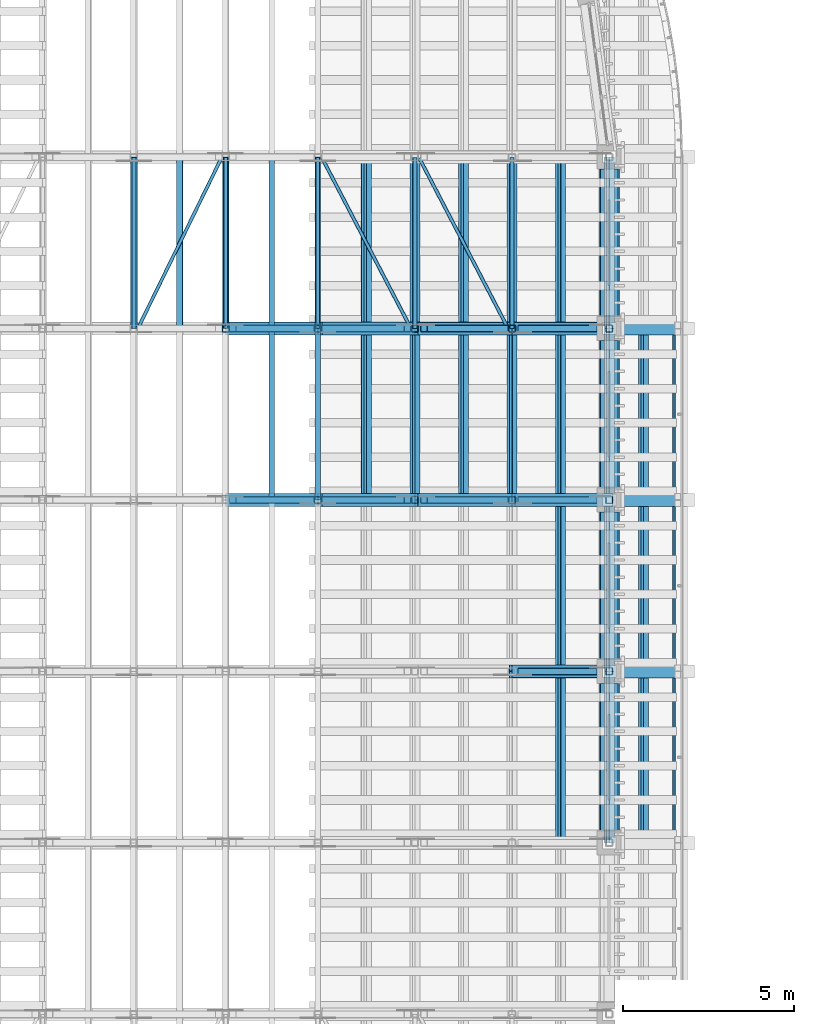
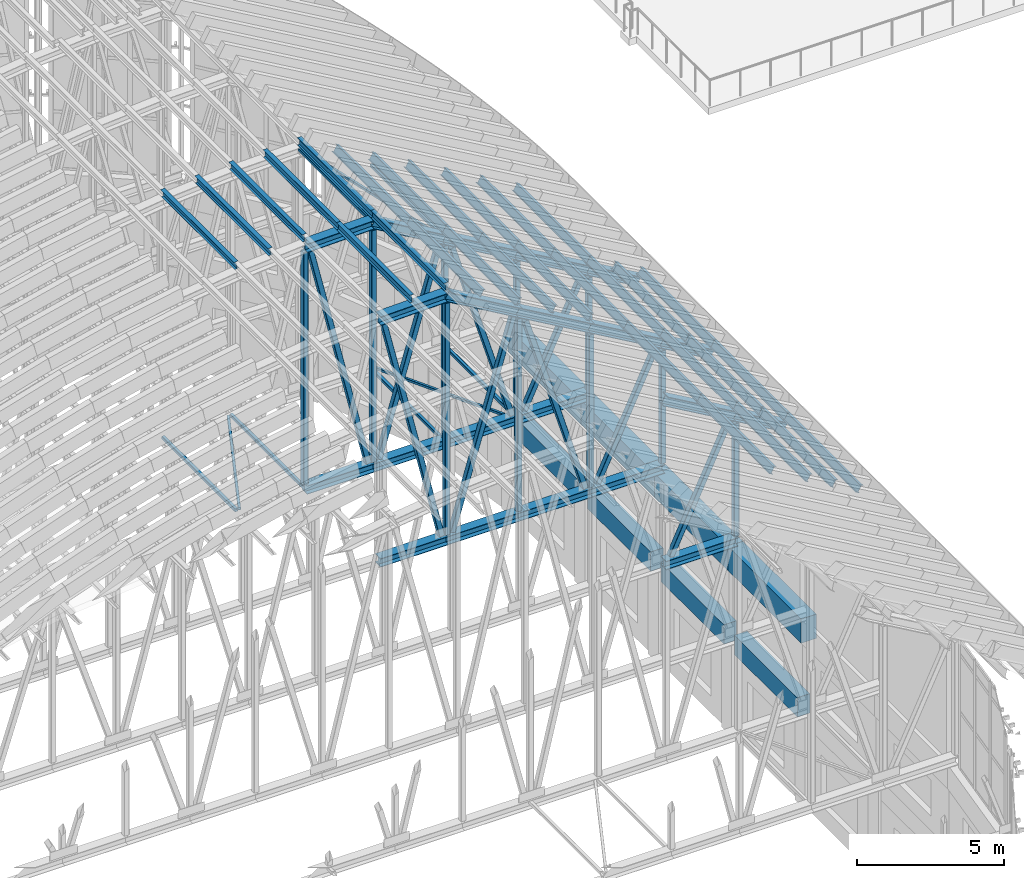
# One storey, part 24 of 105: 78 members, 8 beams.
"""IFC4 building model written with IfcOpenShell, lengths in metres."""

from ifc_helpers import new_model, si_unit, direction, frame, origin, origin_2d, place, context, subcontext, project, spatial, rectangle, hollow_rectangle, i_section, extrude, material, material_profile, profile_set, type_object, element, save


model = new_model("IFC4")

# Units and contexts
model_context = context("Model", 3, precision=1e-05, world=origin(), true_north=direction((0.0, 1.0)))
body_context = subcontext(model_context, "Body", "Model", "MODEL_VIEW")
ifc_project = project(units=[si_unit("LENGTHUNIT", "METRE"), si_unit("AREAUNIT", "SQUARE_METRE"), si_unit("VOLUMEUNIT", "CUBIC_METRE"), si_unit("PLANEANGLEUNIT", "RADIAN"), si_unit("MASSUNIT", "GRAM", prefix="KILO")], contexts=[model_context])

# Site, building, storey
site_placement = place(None, origin())
site = spatial("IfcSite", under=ifc_project, at=site_placement, CompositionType="ELEMENT")
building_placement = place(site_placement, origin())
building = spatial("IfcBuilding", under=site, at=building_placement, Name="Wasatch Bagh Community Centre", CompositionType="ELEMENT")
storey_placement = place(building_placement, frame((0.0, 0.0, 16.800048828125)))
storey = spatial("IfcBuildingStorey", under=building, at=storey_placement, Name="L04", CompositionType="ELEMENT", Elevation=16.800048828125)

# Members
ifc_material_1 = material(Name="ASTM A500 Grade C steel", Category="steel")
ifc_material_profile_1 = material_profile(ifc_material_1, hollow_rectangle(XDim=0.1015625, YDim=0.1015625, WallThickness=0.005859375, InnerFilletRadius=0.005859375, OuterFilletRadius=0.01171875, at=origin_2d()), Name="HSS4x4x1/4")
ifc_profile_set_1 = profile_set([ifc_material_profile_1], Name="ASTM A500 Grade C steel")
member_type_1 = type_object("IfcMemberType", Name="HSS4x4x1/4 brace", PredefinedType="BRACE", material=ifc_profile_set_1)
member_1_placement = place(storey_placement, frame((48.94970703125, 60.04052734375, 16.4296875), z_axis=(-0.446455809294, 0.855788378427, 0.261349309731), x_axis=(-0.886602891917, -0.462531417359, 0.0)))
element("IfcMember", 1, at=member_1_placement, inside=storey, type_object=member_type_1, Name="MH.TA6-TA7.RT.DG13", PredefinedType="BRACE", context=body_context, shape_type="SweptSolid", body=[
    extrude(hollow_rectangle(XDim=0.1015625, YDim=0.1015625, WallThickness=0.005859375, InnerFilletRadius=0.005859375, OuterFilletRadius=0.01171875, at=origin_2d()), origin(), (0.0, 0.0, 1.0), 5.747802734375),
])
member_2_placement = place(storey_placement, frame((41.01513671875, 60.025634765625, 7.892822265625), z_axis=(0.440004530452, 0.897995552986, 0.0), x_axis=(-0.897995552986, 0.440004530452, 0.0)))
element("IfcMember", 2, at=member_2_placement, inside=storey, type_object=member_type_1, Name="MH.TA6-TA7.RB.DG11", PredefinedType="BRACE", context=body_context, shape_type="SweptSolid", body=[
    extrude(hollow_rectangle(XDim=0.1015625, YDim=0.1015625, WallThickness=0.005859375, InnerFilletRadius=0.005859375, OuterFilletRadius=0.01171875, at=origin_2d()), origin(), (0.0, 0.0, 1.0), 5.5107421875),
])
member_3_placement = place(storey_placement, frame((51.789306640625, 60.02685546875, 7.892822265625), z_axis=(-0.462275800568, 0.886736197643, 0.0), x_axis=(-0.886736197643, -0.462275800568, 0.0)))
element("IfcMember", 3, at=member_3_placement, inside=storey, type_object=member_type_1, Name="MH.TA6-TA7.RB.DG14", PredefinedType="BRACE", context=body_context, shape_type="SweptSolid", body=[
    extrude(hollow_rectangle(XDim=0.1015625, YDim=0.1015625, WallThickness=0.005859375, InnerFilletRadius=0.005859375, OuterFilletRadius=0.01171875, at=origin_2d()), origin(), (0.0, 0.0, 1.0), 5.578125),
])
ifc_material_profile_2 = material_profile(ifc_material_1, hollow_rectangle(XDim=0.126953125, YDim=0.126953125, WallThickness=0.00732421875, InnerFilletRadius=0.00732421875, OuterFilletRadius=0.0146484375, at=origin_2d()), Name="HSS5x5x5/16")
ifc_profile_set_2 = profile_set([ifc_material_profile_2], Name="ASTM A500 Grade C steel")
member_type_2 = type_object("IfcMemberType", Name="HSS5x5x5/16 strut", PredefinedType="STRUT", material=ifc_profile_set_2)
for number, where, z_axis, x_axis, name in (
    (4, (46.25, 60.00537109375, 18.010009765625), (0.0, 1.0, 0.0), (-1.0, 0.0, 0.0), "MH.TA6-TA7.RT.ST13W"),
    (5, (49.083251953125, 60.00537109375, 16.3515625), (0.0, 1.0, 0.0), (-1.0, 0.0, 0.0), "MH.TA6-TA7.RT.ST13E"),
):
    element("IfcMember", number, at=place(storey_placement, frame(where, z_axis=z_axis, x_axis=x_axis)), inside=storey, type_object=member_type_2, Name=name, PredefinedType="STRUT", context=body_context, shape_type="SweptSolid", body=[
        extrude(hollow_rectangle(XDim=0.126953125, YDim=0.126953125, WallThickness=0.00732421875, InnerFilletRadius=0.00732421875, OuterFilletRadius=0.0146484375, at=origin_2d()), origin(), (0.0, 0.0, 1.0), 4.9892578125),
    ])
for number, where, z_axis, x_axis, name in (
    (6, (40.88916015625, 60.003662109375, 7.892822265625), (0.0, 1.0, 0.0), (-1.0, 0.0, 0.0), "MH.TA6-TA7.RB.ST11W"),
    (7, (43.56591796875, 60.003662109375, 7.892822265625), (0.0, 1.0, 0.0), (-1.0, 0.0, 0.0), "MH.TA6-TA7.RB.ST11E"),
    (8, (49.083251953125, 60.003662109375, 7.892822265625), (0.0, 1.0, 0.0), (-1.0, 0.0, 0.0), "MH.TA6-TA7.RB.ST14W"),
    (9, (51.916748046875, 60.003662109375, 7.892822265625), (0.0, 1.0, 0.0), (-1.0, 0.0, 0.0), "MH.TA6-TA7.RB.ST14E"),
):
    element("IfcMember", number, at=place(storey_placement, frame(where, z_axis=z_axis, x_axis=x_axis)), inside=storey, type_object=member_type_2, Name=name, PredefinedType="STRUT", context=body_context, shape_type="SweptSolid", body=[
        extrude(hollow_rectangle(XDim=0.126953125, YDim=0.126953125, WallThickness=0.00732421875, InnerFilletRadius=0.00732421875, OuterFilletRadius=0.0146484375, at=origin_2d()), origin(), (0.0, 0.0, 1.0), 4.99267578125),
    ])
ifc_material_profile_3 = material_profile(ifc_material_1, hollow_rectangle(XDim=0.203125, YDim=0.203125, WallThickness=0.01171875, InnerFilletRadius=0.01171875, OuterFilletRadius=0.023681640625, at=origin_2d()), Name="HSS8x8x1/2")
ifc_profile_set_3 = profile_set([ifc_material_profile_3], Name="ASTM A500 Grade C steel")
member_type_3 = type_object("IfcMemberType", Name="HSS8x8x1/2 post", PredefinedType="POST", material=ifc_profile_set_3)
member_4_placement = place(storey_placement, frame((54.75, 50.0, 8.070556640625), z_axis=(0.0, 0.0, 1.0), x_axis=(1.0, 0.0, 0.0)))
element("IfcMember", 10, at=member_4_placement, inside=storey, type_object=member_type_3, Name="MH.TA4.PS16", PredefinedType="POST", context=body_context, shape_type="SweptSolid", body=[
    extrude(hollow_rectangle(XDim=0.203125, YDim=0.203125, WallThickness=0.01171875, InnerFilletRadius=0.01171875, OuterFilletRadius=0.023681640625, at=origin_2d()), origin(), (0.0, 0.0, 1.0), 4.690673828125),
])
member_5_placement = place(storey_placement, frame((46.25, 55.0, 8.070556640625), z_axis=(0.0, 0.0, 1.0), x_axis=(1.0, 0.0, 0.0)))
element("IfcMember", 11, at=member_5_placement, inside=storey, type_object=member_type_3, Name="MH.TA5.PS13", PredefinedType="POST", context=body_context, shape_type="SweptSolid", body=[
    extrude(hollow_rectangle(XDim=0.203125, YDim=0.203125, WallThickness=0.01171875, InnerFilletRadius=0.01171875, OuterFilletRadius=0.023681640625, at=origin_2d()), origin(), (0.0, 0.0, 1.0), 9.64501953125),
])
member_6_placement = place(storey_placement, frame((49.083251953125, 55.0, 8.070556640625), z_axis=(0.0, 0.0, 1.0), x_axis=(1.0, 0.0, 0.0)))
element("IfcMember", 12, at=member_6_placement, inside=storey, type_object=member_type_3, Name="MH.TA5.PS14", PredefinedType="POST", context=body_context, shape_type="SweptSolid", body=[
    extrude(hollow_rectangle(XDim=0.203125, YDim=0.203125, WallThickness=0.01171875, InnerFilletRadius=0.01171875, OuterFilletRadius=0.023681640625, at=origin_2d()), origin(), (0.0, 0.0, 1.0), 8.007568359375),
])
member_7_placement = place(storey_placement, frame((51.916748046875, 55.0, 8.070556640625), z_axis=(0.0, 0.0, 1.0), x_axis=(1.0, 0.0, 0.0)))
element("IfcMember", 13, at=member_7_placement, inside=storey, type_object=member_type_3, Name="MH.TA5.PS15", PredefinedType="POST", context=body_context, shape_type="SweptSolid", body=[
    extrude(hollow_rectangle(XDim=0.203125, YDim=0.203125, WallThickness=0.01171875, InnerFilletRadius=0.01171875, OuterFilletRadius=0.023681640625, at=origin_2d()), origin(), (0.0, 0.0, 1.0), 6.34912109375),
])
member_8_placement = place(storey_placement, frame((54.75, 55.0, 8.070556640625), z_axis=(0.0, 0.0, 1.0), x_axis=(1.0, 0.0, 0.0)))
element("IfcMember", 14, at=member_8_placement, inside=storey, type_object=member_type_3, Name="MH.TA5.PS16", PredefinedType="POST", context=body_context, shape_type="SweptSolid", body=[
    extrude(hollow_rectangle(XDim=0.203125, YDim=0.203125, WallThickness=0.01171875, InnerFilletRadius=0.01171875, OuterFilletRadius=0.023681640625, at=origin_2d()), origin(), (0.0, 0.0, 1.0), 4.690673828125),
])
member_9_placement = place(storey_placement, frame((43.56591796875, 60.0, 8.070556640625), z_axis=(0.0, 0.0, 1.0), x_axis=(1.0, 0.0, 0.0)))
element("IfcMember", 15, at=member_9_placement, inside=storey, type_object=member_type_3, Name="MH.TA6.PS12", PredefinedType="POST", context=body_context, shape_type="SweptSolid", body=[
    extrude(hollow_rectangle(XDim=0.203125, YDim=0.203125, WallThickness=0.01171875, InnerFilletRadius=0.01171875, OuterFilletRadius=0.023681640625, at=origin_2d()), origin(), (0.0, 0.0, 1.0), 9.6826171875),
])
member_10_placement = place(storey_placement, frame((46.25, 60.0, 8.070556640625), z_axis=(0.0, 0.0, 1.0), x_axis=(1.0, 0.0, 0.0)))
element("IfcMember", 16, at=member_10_placement, inside=storey, type_object=member_type_3, Name="MH.TA6.PS13", PredefinedType="POST", context=body_context, shape_type="SweptSolid", body=[
    extrude(hollow_rectangle(XDim=0.203125, YDim=0.203125, WallThickness=0.01171875, InnerFilletRadius=0.01171875, OuterFilletRadius=0.023681640625, at=origin_2d()), origin(), (0.0, 0.0, 1.0), 9.64501953125),
])
member_11_placement = place(storey_placement, frame((49.083251953125, 60.0, 8.070556640625), z_axis=(0.0, 0.0, 1.0), x_axis=(1.0, 0.0, 0.0)))
element("IfcMember", 17, at=member_11_placement, inside=storey, type_object=member_type_3, Name="MH.TA6.PS14", PredefinedType="POST", context=body_context, shape_type="SweptSolid", body=[
    extrude(hollow_rectangle(XDim=0.203125, YDim=0.203125, WallThickness=0.01171875, InnerFilletRadius=0.01171875, OuterFilletRadius=0.023681640625, at=origin_2d()), origin(), (0.0, 0.0, 1.0), 8.007568359375),
])
member_12_placement = place(storey_placement, frame((51.916748046875, 60.0, 8.070556640625), z_axis=(0.0, 0.0, 1.0), x_axis=(1.0, 0.0, 0.0)))
element("IfcMember", 18, at=member_12_placement, inside=storey, type_object=member_type_3, Name="MH.TA6.PS15", PredefinedType="POST", context=body_context, shape_type="SweptSolid", body=[
    extrude(hollow_rectangle(XDim=0.203125, YDim=0.203125, WallThickness=0.01171875, InnerFilletRadius=0.01171875, OuterFilletRadius=0.023681640625, at=origin_2d()), origin(), (0.0, 0.0, 1.0), 6.34912109375),
])
member_13_placement = place(storey_placement, frame((54.75, 60.0, 8.070556640625), z_axis=(0.0, 0.0, 1.0), x_axis=(1.0, 0.0, 0.0)))
element("IfcMember", 19, at=member_13_placement, inside=storey, type_object=member_type_3, Name="MH.TA6.PS16", PredefinedType="POST", context=body_context, shape_type="SweptSolid", body=[
    extrude(hollow_rectangle(XDim=0.203125, YDim=0.203125, WallThickness=0.01171875, InnerFilletRadius=0.01171875, OuterFilletRadius=0.023681640625, at=origin_2d()), origin(), (0.0, 0.0, 1.0), 4.690673828125),
])
ifc_material_profile_4 = material_profile(ifc_material_1, hollow_rectangle(XDim=0.203125, YDim=0.203125, WallThickness=0.0087890625, InnerFilletRadius=0.0087890625, OuterFilletRadius=0.017822265625, at=origin_2d()), Name="HSS8x8x3/8")
ifc_profile_set_4 = profile_set([ifc_material_profile_4], Name="ASTM A500 Grade C steel")
member_type_4 = type_object("IfcMemberType", Name="HSS8x8x3/8 brace", PredefinedType="BRACE", material=ifc_profile_set_4)
member_14_placement = place(storey_placement, frame((52.182373046875, 50.0, 8.11474609375), z_axis=(0.429834746182, 0.0, 0.902907576098), x_axis=(0.0, 1.0, 0.0)))
element("IfcMember", 20, at=member_14_placement, inside=storey, type_object=member_type_4, Name="MH.TA4.WB15", PredefinedType="BRACE", context=body_context, shape_type="SweptSolid", body=[
    extrude(hollow_rectangle(XDim=0.203125, YDim=0.203125, WallThickness=0.0087890625, InnerFilletRadius=0.0087890625, OuterFilletRadius=0.017822265625, at=origin_2d()), origin(), (0.0, 0.0, 1.0), 5.36962890625),
])
member_15_placement = place(storey_placement, frame((46.047607421875, 55.0, 8.094482421875), z_axis=(-0.229781671389, 0.0, 0.973242201866), x_axis=(0.0, -1.0, 0.0)))
element("IfcMember", 21, at=member_15_placement, inside=storey, type_object=member_type_4, Name="MH.TA5.WB12", PredefinedType="BRACE", context=body_context, shape_type="SweptSolid", body=[
    extrude(hollow_rectangle(XDim=0.203125, YDim=0.203125, WallThickness=0.0087890625, InnerFilletRadius=0.0087890625, OuterFilletRadius=0.017822265625, at=origin_2d()), origin(), (0.0, 0.0, 1.0), 9.916259765625),
])
member_16_placement = place(storey_placement, frame((46.466796875, 55.0, 8.099853515625), z_axis=(0.28291893223, 0.0, 0.959143825391), x_axis=(0.0, 1.0, 0.0)))
element("IfcMember", 22, at=member_16_placement, inside=storey, type_object=member_type_4, Name="MH.TA5.WB13", PredefinedType="BRACE", context=body_context, shape_type="SweptSolid", body=[
    extrude(hollow_rectangle(XDim=0.203125, YDim=0.203125, WallThickness=0.0087890625, InnerFilletRadius=0.0087890625, OuterFilletRadius=0.017822265625, at=origin_2d()), origin(), (0.0, 0.0, 1.0), 8.481689453125),
])
member_17_placement = place(storey_placement, frame((51.698486328125, 55.0, 8.100341796875), z_axis=(-0.28855246331, 0.0, 0.957464085967), x_axis=(0.0, -1.0, 0.0)))
element("IfcMember", 23, at=member_17_placement, inside=storey, type_object=member_type_4, Name="MH.TA5.WB14", PredefinedType="BRACE", context=body_context, shape_type="SweptSolid", body=[
    extrude(hollow_rectangle(XDim=0.203125, YDim=0.203125, WallThickness=0.0087890625, InnerFilletRadius=0.0087890625, OuterFilletRadius=0.017822265625, at=origin_2d()), origin(), (0.0, 0.0, 1.0), 8.142822265625),
])
member_18_placement = place(storey_placement, frame((52.182373046875, 55.0, 8.11474609375), z_axis=(0.429834746182, 0.0, 0.902907576098), x_axis=(0.0, 1.0, 0.0)))
element("IfcMember", 24, at=member_18_placement, inside=storey, type_object=member_type_4, Name="MH.TA5.WB15", PredefinedType="BRACE", context=body_context, shape_type="SweptSolid", body=[
    extrude(hollow_rectangle(XDim=0.203125, YDim=0.203125, WallThickness=0.0087890625, InnerFilletRadius=0.0087890625, OuterFilletRadius=0.017822265625, at=origin_2d()), origin(), (0.0, 0.0, 1.0), 5.36962890625),
])
member_19_placement = place(storey_placement, frame((46.047607421875, 60.0, 8.094482421875), z_axis=(-0.229781671389, 0.0, 0.973242201866), x_axis=(0.0, -1.0, 0.0)))
element("IfcMember", 25, at=member_19_placement, inside=storey, type_object=member_type_4, Name="MH.TA6.WB12", PredefinedType="BRACE", context=body_context, shape_type="SweptSolid", body=[
    extrude(hollow_rectangle(XDim=0.203125, YDim=0.203125, WallThickness=0.0087890625, InnerFilletRadius=0.0087890625, OuterFilletRadius=0.017822265625, at=origin_2d()), origin(), (0.0, 0.0, 1.0), 9.916259765625),
])
member_20_placement = place(storey_placement, frame((46.466796875, 60.0, 8.099853515625), z_axis=(0.28291893223, 0.0, 0.959143825391), x_axis=(0.0, 1.0, 0.0)))
element("IfcMember", 26, at=member_20_placement, inside=storey, type_object=member_type_4, Name="MH.TA6.WB13", PredefinedType="BRACE", context=body_context, shape_type="SweptSolid", body=[
    extrude(hollow_rectangle(XDim=0.203125, YDim=0.203125, WallThickness=0.0087890625, InnerFilletRadius=0.0087890625, OuterFilletRadius=0.017822265625, at=origin_2d()), origin(), (0.0, 0.0, 1.0), 8.481689453125),
])
member_21_placement = place(storey_placement, frame((51.698486328125, 60.0, 8.100341796875), z_axis=(-0.28855246331, 0.0, 0.957464085967), x_axis=(0.0, -1.0, 0.0)))
element("IfcMember", 27, at=member_21_placement, inside=storey, type_object=member_type_4, Name="MH.TA6.WB14", PredefinedType="BRACE", context=body_context, shape_type="SweptSolid", body=[
    extrude(hollow_rectangle(XDim=0.203125, YDim=0.203125, WallThickness=0.0087890625, InnerFilletRadius=0.0087890625, OuterFilletRadius=0.017822265625, at=origin_2d()), origin(), (0.0, 0.0, 1.0), 8.142822265625),
])
member_22_placement = place(storey_placement, frame((52.182373046875, 60.0, 8.11474609375), z_axis=(0.429834746182, 0.0, 0.902907576098), x_axis=(0.0, 1.0, 0.0)))
element("IfcMember", 28, at=member_22_placement, inside=storey, type_object=member_type_4, Name="MH.TA6.WB15", PredefinedType="BRACE", context=body_context, shape_type="SweptSolid", body=[
    extrude(hollow_rectangle(XDim=0.203125, YDim=0.203125, WallThickness=0.0087890625, InnerFilletRadius=0.0087890625, OuterFilletRadius=0.017822265625, at=origin_2d()), origin(), (0.0, 0.0, 1.0), 5.36962890625),
])

# Beams
ifc_material_2 = material(Name="Concrete C35", Category="concrete")
ifc_material_profile_5 = material_profile(ifc_material_2, rectangle(XDim=0.5, YDim=0.800048828125, at=origin_2d()), Name="RC 500x800")
ifc_profile_set_5 = profile_set([ifc_material_profile_5], Name="Concrete C35")
beam_type_1 = type_object("IfcBeamType", Name="MH ring beam RC 500x800", PredefinedType="BEAM", material=ifc_profile_set_5)
for number, where, z_axis, x_axis, name in (
    (29, (54.75, 45.3505859375, 3.800048828125), (0.0, 1.0, 0.0), (-1.0, 0.0, 0.0), "Ring beam 21.0 E3-E4"),
    (30, (54.75, 50.3505859375, 3.800048828125), (0.0, 1.0, 0.0), (-1.0, 0.0, 0.0), "Ring beam 21.0 E4-E5"),
    (31, (54.75, 55.3505859375, 3.800048828125), (0.0, 1.0, 0.0), (-1.0, 0.0, 0.0), "Ring beam 21.0 E5-E6"),
    (32, (54.75, 60.3505859375, 3.800048828125), (0.0, 1.0, 0.0), (-1.0, 0.0, 0.0), "Ring beam 21.0 E6-E7"),
):
    element("IfcBeam", number, at=place(storey_placement, frame(where, z_axis=z_axis, x_axis=x_axis)), inside=storey, type_object=beam_type_1, Name=name, PredefinedType="BEAM", context=body_context, shape_type="SweptSolid", body=[
        extrude(rectangle(XDim=0.5, YDim=0.800048828125, at=origin_2d()), origin(), (0.0, 0.0, 1.0), 4.298828125),
    ])
ifc_material_profile_6 = material_profile(ifc_material_2, rectangle(XDim=0.60009765625, YDim=1.0, at=origin_2d()), Name="RC 600x1000")
ifc_profile_set_6 = profile_set([ifc_material_profile_6], Name="Concrete C35")
beam_type_2 = type_object("IfcBeamType", Name="MH ring beam RC 600x1000", PredefinedType="BEAM", material=ifc_profile_set_6)
for number, where, z_axis, x_axis, name in (
    (33, (54.75, 45.0, 7.199951171875), (0.0, 1.0, 0.0), (-1.0, 0.0, 0.0), "Ring beam 24.5 E3-E4"),
    (34, (54.75, 50.0, 7.199951171875), (0.0, 1.0, 0.0), (-1.0, 0.0, 0.0), "Ring beam 24.5 E4-E5"),
    (35, (54.75, 55.0, 7.199951171875), (0.0, 1.0, 0.0), (-1.0, 0.0, 0.0), "Ring beam 24.5 E5-E6"),
    (36, (54.75, 60.0, 7.199951171875), (0.0, 1.0, 0.0), (-1.0, 0.0, 0.0), "Ring beam 24.5 E6-E7"),
):
    element("IfcBeam", number, at=place(storey_placement, frame(where, z_axis=z_axis, x_axis=x_axis)), inside=storey, type_object=beam_type_2, Name=name, PredefinedType="BEAM", context=body_context, shape_type="SweptSolid", body=[
        extrude(rectangle(XDim=0.60009765625, YDim=1.0, at=origin_2d()), origin(), (0.0, 0.0, 1.0), 5.0),
    ])

# Members
ifc_material_3 = material(Name="ASTM A992 Grade 50 steel", Category="steel")
ifc_material_profile_7 = material_profile(ifc_material_3, i_section(OverallWidth=0.164794921875, OverallDepth=0.309814453125, WebThickness=0.005859375, FlangeThickness=0.009765625, at=origin_2d()), Name="W12x26")
ifc_profile_set_7 = profile_set([ifc_material_profile_7], Name="ASTM A992 Grade 50 steel")
member_type_5 = type_object("IfcMemberType", Name="W12x26 purlin", PredefinedType="PURLIN", material=ifc_profile_set_7)
for number, where, z_axis, x_axis, name in (
    (37, (53.333251953125, 45.0, 14.289306640625), (0.0, 1.0, 0.0), (-0.866025403784, 0.0, 0.5), "MH.TA3-TA4.PU31"),
    (38, (54.75, 45.0, 13.471435546875), (0.0, 1.0, 0.0), (-0.866025403784, 0.0, 0.5), "MH.TA3-TA4.PU32"),
    (39, (55.75, 45.0, 12.89404296875), (0.0, 1.0, 0.0), (-0.866025403784, 0.0, 0.5), "MH.TA3-TA4.PU33"),
    (40, (56.75, 45.0, 12.316650390625), (0.0, 1.0, 0.0), (-0.866025403784, 0.0, 0.5), "MH.TA3-TA4.PU34"),
    (41, (53.333251953125, 50.0, 14.289306640625), (0.0, 1.0, 0.0), (-0.866025403784, 0.0, 0.5), "MH.TA4-TA5.PU31"),
    (42, (54.75, 50.0, 13.471435546875), (0.0, 1.0, 0.0), (-0.866025403784, 0.0, 0.5), "MH.TA4-TA5.PU32"),
    (43, (55.75, 50.0, 12.89404296875), (0.0, 1.0, 0.0), (-0.866025403784, 0.0, 0.5), "MH.TA4-TA5.PU33"),
    (44, (56.75, 50.0, 12.316650390625), (0.0, 1.0, 0.0), (-0.866025403784, 0.0, 0.5), "MH.TA4-TA5.PU34"),
    (45, (44.907958984375, 55.0, 18.3203125), (0.0, 1.0, 0.0), (-0.999666689368, 0.0, -0.025816858198), "MH.TA5-TA6.PU25"),
    (46, (46.25, 55.0, 18.35498046875), (0.0, 1.0, 0.0), (-0.999666689368, 0.0, -0.025816858198), "MH.TA5-TA6.PU26"),
    (47, (47.666748046875, 55.0, 17.56103515625), (0.0, 1.0, 0.0), (-0.866025403784, 0.0, 0.5), "MH.TA5-TA6.PU27"),
    (48, (49.083251953125, 55.0, 16.742919921875), (0.0, 1.0, 0.0), (-0.866025403784, 0.0, 0.5), "MH.TA5-TA6.PU28"),
    (49, (50.5, 55.0, 15.925048828125), (0.0, 1.0, 0.0), (-0.866025403784, 0.0, 0.5), "MH.TA5-TA6.PU29"),
    (50, (51.916748046875, 55.0, 15.107177734375), (0.0, 1.0, 0.0), (-0.866025403784, 0.0, 0.5), "MH.TA5-TA6.PU30"),
    (51, (53.333251953125, 55.0, 14.289306640625), (0.0, 1.0, 0.0), (-0.866025403784, 0.0, 0.5), "MH.TA5-TA6.PU31"),
    (52, (54.75, 55.0, 13.471435546875), (0.0, 1.0, 0.0), (-0.866025403784, 0.0, 0.5), "MH.TA5-TA6.PU32"),
    (53, (55.75, 55.0, 12.89404296875), (0.0, 1.0, 0.0), (-0.866025403784, 0.0, 0.5), "MH.TA5-TA6.PU33"),
    (54, (56.75, 55.0, 12.316650390625), (0.0, 1.0, 0.0), (-0.866025403784, 0.0, 0.5), "MH.TA5-TA6.PU34"),
    (55, (40.88916015625, 60.0, 18.0791015625), (0.0, 1.0, 0.0), (-0.991678342395, 0.0, -0.12874030148), "MH.TA6-TA7.PU22"),
    (56, (42.2275390625, 60.0, 18.18212890625), (0.0, 1.0, 0.0), (-0.997001538098, 0.0, -0.077381735761), "MH.TA6-TA7.PU23"),
    (57, (43.56591796875, 60.0, 18.2861328125), (0.0, 1.0, 0.0), (-0.997001538098, 0.0, -0.077381735761), "MH.TA6-TA7.PU24"),
    (58, (44.907958984375, 60.0, 18.3203125), (0.0, 1.0, 0.0), (-0.999666689368, 0.0, -0.025816858198), "MH.TA6-TA7.PU25"),
    (59, (46.25, 60.0, 18.35498046875), (0.0, 1.0, 0.0), (-0.999666689368, 0.0, -0.025816858198), "MH.TA6-TA7.PU26"),
    (60, (47.666748046875, 60.0, 17.56103515625), (0.0, 1.0, 0.0), (-0.866025403784, 0.0, 0.5), "MH.TA6-TA7.PU27"),
    (61, (49.083251953125, 60.0, 16.742919921875), (0.0, 1.0, 0.0), (-0.866025403784, 0.0, 0.5), "MH.TA6-TA7.PU28"),
    (62, (50.5, 60.0, 15.925048828125), (0.0, 1.0, 0.0), (-0.866025403784, 0.0, 0.5), "MH.TA6-TA7.PU29"),
    (63, (51.916748046875, 60.0, 15.107177734375), (0.0, 1.0, 0.0), (-0.866025403784, 0.0, 0.5), "MH.TA6-TA7.PU30"),
    (64, (53.333251953125, 60.0, 14.289306640625), (0.0, 1.0, 0.0), (-0.866025403784, 0.0, 0.5), "MH.TA6-TA7.PU31"),
    (65, (54.75, 60.0, 13.471435546875), (0.0, 1.0, 0.0), (-0.866025403784, 0.0, 0.5), "MH.TA6-TA7.PU32"),
):
    element("IfcMember", number, at=place(storey_placement, frame(where, z_axis=z_axis, x_axis=x_axis)), inside=storey, type_object=member_type_5, Name=name, PredefinedType="PURLIN", context=body_context, shape_type="SweptSolid", body=[
        extrude(i_section(OverallWidth=0.164794921875, OverallDepth=0.309814453125, WebThickness=0.005859375, FlangeThickness=0.009765625, at=origin_2d()), origin(), (0.0, 0.0, 1.0), 5.0),
    ])
ifc_material_profile_8 = material_profile(ifc_material_3, i_section(OverallWidth=0.373291015625, OverallDepth=0.368408203125, WebThickness=0.014892578125, FlangeThickness=0.02392578125, at=origin_2d()), Name="W14x120")
ifc_profile_set_8 = profile_set([ifc_material_profile_8], Name="ASTM A992 Grade 50 steel")
member_type_6 = type_object("IfcMemberType", Name="W14x120 chord", PredefinedType="CHORD", material=ifc_profile_set_8)
member_23_placement = place(storey_placement, frame((51.9169921875, 50.0, 14.71533203125), z_axis=(0.866038908564, 0.0, -0.499976608306), x_axis=(0.0, 1.0, 0.0)))
element("IfcMember", 66, at=member_23_placement, inside=storey, type_object=member_type_6, Name="MH.TA4.TC17", PredefinedType="CHORD", context=body_context, shape_type="SweptSolid", body=[
    extrude(i_section(OverallWidth=0.373291015625, OverallDepth=0.368408203125, WebThickness=0.014892578125, FlangeThickness=0.02392578125, at=origin_2d()), origin(), (0.0, 0.0, 1.0), 3.270751953125),
])
member_24_placement = place(storey_placement, frame((54.75048828125, 50.0, 13.07958984375), z_axis=(0.866002450397, 0.0, -0.500039754326), x_axis=(0.0, 1.0, 0.0)))
element("IfcMember", 67, at=member_24_placement, inside=storey, type_object=member_type_6, Name="MH.TA4.TC18", PredefinedType="CHORD", context=body_context, shape_type="SweptSolid", body=[
    extrude(i_section(OverallWidth=0.373291015625, OverallDepth=0.368408203125, WebThickness=0.014892578125, FlangeThickness=0.02392578125, at=origin_2d()), origin(), (0.0, 0.0, 1.0), 2.308837890625),
])
member_25_placement = place(storey_placement, frame((43.571533203125, 55.0, 17.9462890625), z_axis=(0.999716831717, 0.0, 0.023796142159), x_axis=(0.0, 1.0, 0.0)))
element("IfcMember", 68, at=member_25_placement, inside=storey, type_object=member_type_6, Name="MH.TA5.TC14", PredefinedType="CHORD", context=body_context, shape_type="SweptSolid", body=[
    extrude(i_section(OverallWidth=0.373291015625, OverallDepth=0.368408203125, WebThickness=0.014892578125, FlangeThickness=0.02392578125, at=origin_2d()), origin(), (0.0, 0.0, 1.0), 2.62646484375),
])
member_26_placement = place(storey_placement, frame((46.295654296875, 55.0, 17.9833984375), z_axis=(0.863012861472, 0.0, -0.505181948345), x_axis=(0.0, 1.0, 0.0)))
element("IfcMember", 69, at=member_26_placement, inside=storey, type_object=member_type_6, Name="MH.TA5.TC15", PredefinedType="CHORD", context=body_context, shape_type="SweptSolid", body=[
    extrude(i_section(OverallWidth=0.373291015625, OverallDepth=0.368408203125, WebThickness=0.014892578125, FlangeThickness=0.02392578125, at=origin_2d()), origin(), (0.0, 0.0, 1.0), 3.229248046875),
])
member_27_placement = place(storey_placement, frame((49.084228515625, 55.0, 16.35107421875), z_axis=(0.866001581989, 0.0, -0.50004125829), x_axis=(0.0, 1.0, 0.0)))
element("IfcMember", 70, at=member_27_placement, inside=storey, type_object=member_type_6, Name="MH.TA5.TC16", PredefinedType="CHORD", context=body_context, shape_type="SweptSolid", body=[
    extrude(i_section(OverallWidth=0.373291015625, OverallDepth=0.368408203125, WebThickness=0.014892578125, FlangeThickness=0.02392578125, at=origin_2d()), origin(), (0.0, 0.0, 1.0), 3.270263671875),
])
member_28_placement = place(storey_placement, frame((51.9169921875, 55.0, 14.71533203125), z_axis=(0.866038908564, 0.0, -0.499976608306), x_axis=(0.0, 1.0, 0.0)))
element("IfcMember", 71, at=member_28_placement, inside=storey, type_object=member_type_6, Name="MH.TA5.TC17", PredefinedType="CHORD", context=body_context, shape_type="SweptSolid", body=[
    extrude(i_section(OverallWidth=0.373291015625, OverallDepth=0.368408203125, WebThickness=0.014892578125, FlangeThickness=0.02392578125, at=origin_2d()), origin(), (0.0, 0.0, 1.0), 3.270751953125),
])
member_29_placement = place(storey_placement, frame((54.75048828125, 55.0, 13.07958984375), z_axis=(0.866002450397, 0.0, -0.500039754326), x_axis=(0.0, 1.0, 0.0)))
element("IfcMember", 72, at=member_29_placement, inside=storey, type_object=member_type_6, Name="MH.TA5.TC18", PredefinedType="CHORD", context=body_context, shape_type="SweptSolid", body=[
    extrude(i_section(OverallWidth=0.373291015625, OverallDepth=0.368408203125, WebThickness=0.014892578125, FlangeThickness=0.02392578125, at=origin_2d()), origin(), (0.0, 0.0, 1.0), 2.308837890625),
])
member_30_placement = place(storey_placement, frame((43.571533203125, 60.0, 17.9462890625), z_axis=(0.999716831717, 0.0, 0.023796142159), x_axis=(0.0, 1.0, 0.0)))
element("IfcMember", 73, at=member_30_placement, inside=storey, type_object=member_type_6, Name="MH.TA6.TC14", PredefinedType="CHORD", context=body_context, shape_type="SweptSolid", body=[
    extrude(i_section(OverallWidth=0.373291015625, OverallDepth=0.368408203125, WebThickness=0.014892578125, FlangeThickness=0.02392578125, at=origin_2d()), origin(), (0.0, 0.0, 1.0), 2.62646484375),
])
member_31_placement = place(storey_placement, frame((46.295654296875, 60.0, 17.9833984375), z_axis=(0.863012861472, 0.0, -0.505181948345), x_axis=(0.0, 1.0, 0.0)))
element("IfcMember", 74, at=member_31_placement, inside=storey, type_object=member_type_6, Name="MH.TA6.TC15", PredefinedType="CHORD", context=body_context, shape_type="SweptSolid", body=[
    extrude(i_section(OverallWidth=0.373291015625, OverallDepth=0.368408203125, WebThickness=0.014892578125, FlangeThickness=0.02392578125, at=origin_2d()), origin(), (0.0, 0.0, 1.0), 3.229248046875),
])
member_32_placement = place(storey_placement, frame((49.084228515625, 60.0, 16.35107421875), z_axis=(0.866001581989, 0.0, -0.50004125829), x_axis=(0.0, 1.0, 0.0)))
element("IfcMember", 75, at=member_32_placement, inside=storey, type_object=member_type_6, Name="MH.TA6.TC16", PredefinedType="CHORD", context=body_context, shape_type="SweptSolid", body=[
    extrude(i_section(OverallWidth=0.373291015625, OverallDepth=0.368408203125, WebThickness=0.014892578125, FlangeThickness=0.02392578125, at=origin_2d()), origin(), (0.0, 0.0, 1.0), 3.270263671875),
])
member_33_placement = place(storey_placement, frame((51.9169921875, 60.0, 14.71533203125), z_axis=(0.866038908564, 0.0, -0.499976608306), x_axis=(0.0, 1.0, 0.0)))
element("IfcMember", 76, at=member_33_placement, inside=storey, type_object=member_type_6, Name="MH.TA6.TC17", PredefinedType="CHORD", context=body_context, shape_type="SweptSolid", body=[
    extrude(i_section(OverallWidth=0.373291015625, OverallDepth=0.368408203125, WebThickness=0.014892578125, FlangeThickness=0.02392578125, at=origin_2d()), origin(), (0.0, 0.0, 1.0), 3.270751953125),
])
member_34_placement = place(storey_placement, frame((54.75048828125, 60.0, 13.07958984375), z_axis=(0.866002450397, 0.0, -0.500039754326), x_axis=(0.0, 1.0, 0.0)))
element("IfcMember", 77, at=member_34_placement, inside=storey, type_object=member_type_6, Name="MH.TA6.TC18", PredefinedType="CHORD", context=body_context, shape_type="SweptSolid", body=[
    extrude(i_section(OverallWidth=0.373291015625, OverallDepth=0.368408203125, WebThickness=0.014892578125, FlangeThickness=0.02392578125, at=origin_2d()), origin(), (0.0, 0.0, 1.0), 2.308837890625),
])
ifc_material_profile_9 = material_profile(ifc_material_3, i_section(OverallWidth=0.368408203125, OverallDepth=0.355712890625, WebThickness=0.01123046875, FlangeThickness=0.01806640625, at=origin_2d()), Name="W14x90")
ifc_profile_set_9 = profile_set([ifc_material_profile_9], Name="ASTM A992 Grade 50 steel")
member_type_7 = type_object("IfcMemberType", Name="W14x90 chord", PredefinedType="CHORD", material=ifc_profile_set_9)
member_35_placement = place(storey_placement, frame((51.916748046875, 50.0, 7.892822265625), z_axis=(1.0, 0.0, 0.0), x_axis=(0.0, 1.0, 0.0)))
element("IfcMember", 78, at=member_35_placement, inside=storey, type_object=member_type_7, Name="MH.TA4.BC15", PredefinedType="CHORD", context=body_context, shape_type="SweptSolid", body=[
    extrude(i_section(OverallWidth=0.368408203125, OverallDepth=0.355712890625, WebThickness=0.01123046875, FlangeThickness=0.01806640625, at=origin_2d()), origin(), (0.0, 0.0, 1.0), 2.833251953125),
])
member_36_placement = place(storey_placement, frame((43.56591796875, 55.0, 7.892822265625), z_axis=(1.0, 0.0, 0.0), x_axis=(0.0, 1.0, 0.0)))
element("IfcMember", 79, at=member_36_placement, inside=storey, type_object=member_type_7, Name="MH.TA5.BC12", PredefinedType="CHORD", context=body_context, shape_type="SweptSolid", body=[
    extrude(i_section(OverallWidth=0.368408203125, OverallDepth=0.355712890625, WebThickness=0.01123046875, FlangeThickness=0.01806640625, at=origin_2d()), origin(), (0.0, 0.0, 1.0), 2.68408203125),
])
member_37_placement = place(storey_placement, frame((46.25, 55.0, 7.892822265625), z_axis=(1.0, 0.0, 0.0), x_axis=(0.0, 1.0, 0.0)))
element("IfcMember", 80, at=member_37_placement, inside=storey, type_object=member_type_7, Name="MH.TA5.BC13", PredefinedType="CHORD", context=body_context, shape_type="SweptSolid", body=[
    extrude(i_section(OverallWidth=0.368408203125, OverallDepth=0.355712890625, WebThickness=0.01123046875, FlangeThickness=0.01806640625, at=origin_2d()), origin(), (0.0, 0.0, 1.0), 2.833251953125),
])
member_38_placement = place(storey_placement, frame((49.083251953125, 55.0, 7.892822265625), z_axis=(1.0, 0.0, 0.0), x_axis=(0.0, 1.0, 0.0)))
element("IfcMember", 81, at=member_38_placement, inside=storey, type_object=member_type_7, Name="MH.TA5.BC14", PredefinedType="CHORD", context=body_context, shape_type="SweptSolid", body=[
    extrude(i_section(OverallWidth=0.368408203125, OverallDepth=0.355712890625, WebThickness=0.01123046875, FlangeThickness=0.01806640625, at=origin_2d()), origin(), (0.0, 0.0, 1.0), 2.83349609375),
])
member_39_placement = place(storey_placement, frame((51.916748046875, 55.0, 7.892822265625), z_axis=(1.0, 0.0, 0.0), x_axis=(0.0, 1.0, 0.0)))
element("IfcMember", 82, at=member_39_placement, inside=storey, type_object=member_type_7, Name="MH.TA5.BC15", PredefinedType="CHORD", context=body_context, shape_type="SweptSolid", body=[
    extrude(i_section(OverallWidth=0.368408203125, OverallDepth=0.355712890625, WebThickness=0.01123046875, FlangeThickness=0.01806640625, at=origin_2d()), origin(), (0.0, 0.0, 1.0), 2.833251953125),
])
member_40_placement = place(storey_placement, frame((43.56591796875, 60.0, 7.892822265625), z_axis=(1.0, 0.0, 0.0), x_axis=(0.0, 1.0, 0.0)))
element("IfcMember", 83, at=member_40_placement, inside=storey, type_object=member_type_7, Name="MH.TA6.BC12", PredefinedType="CHORD", context=body_context, shape_type="SweptSolid", body=[
    extrude(i_section(OverallWidth=0.368408203125, OverallDepth=0.355712890625, WebThickness=0.01123046875, FlangeThickness=0.01806640625, at=origin_2d()), origin(), (0.0, 0.0, 1.0), 2.68408203125),
])
member_41_placement = place(storey_placement, frame((46.25, 60.0, 7.892822265625), z_axis=(1.0, 0.0, 0.0), x_axis=(0.0, 1.0, 0.0)))
element("IfcMember", 84, at=member_41_placement, inside=storey, type_object=member_type_7, Name="MH.TA6.BC13", PredefinedType="CHORD", context=body_context, shape_type="SweptSolid", body=[
    extrude(i_section(OverallWidth=0.368408203125, OverallDepth=0.355712890625, WebThickness=0.01123046875, FlangeThickness=0.01806640625, at=origin_2d()), origin(), (0.0, 0.0, 1.0), 2.833251953125),
])
member_42_placement = place(storey_placement, frame((49.083251953125, 60.0, 7.892822265625), z_axis=(1.0, 0.0, 0.0), x_axis=(0.0, 1.0, 0.0)))
element("IfcMember", 85, at=member_42_placement, inside=storey, type_object=member_type_7, Name="MH.TA6.BC14", PredefinedType="CHORD", context=body_context, shape_type="SweptSolid", body=[
    extrude(i_section(OverallWidth=0.368408203125, OverallDepth=0.355712890625, WebThickness=0.01123046875, FlangeThickness=0.01806640625, at=origin_2d()), origin(), (0.0, 0.0, 1.0), 2.83349609375),
])
member_43_placement = place(storey_placement, frame((51.916748046875, 60.0, 7.892822265625), z_axis=(1.0, 0.0, 0.0), x_axis=(0.0, 1.0, 0.0)))
element("IfcMember", 86, at=member_43_placement, inside=storey, type_object=member_type_7, Name="MH.TA6.BC15", PredefinedType="CHORD", context=body_context, shape_type="SweptSolid", body=[
    extrude(i_section(OverallWidth=0.368408203125, OverallDepth=0.355712890625, WebThickness=0.01123046875, FlangeThickness=0.01806640625, at=origin_2d()), origin(), (0.0, 0.0, 1.0), 2.833251953125),
])

save(model, "model.ifc")
